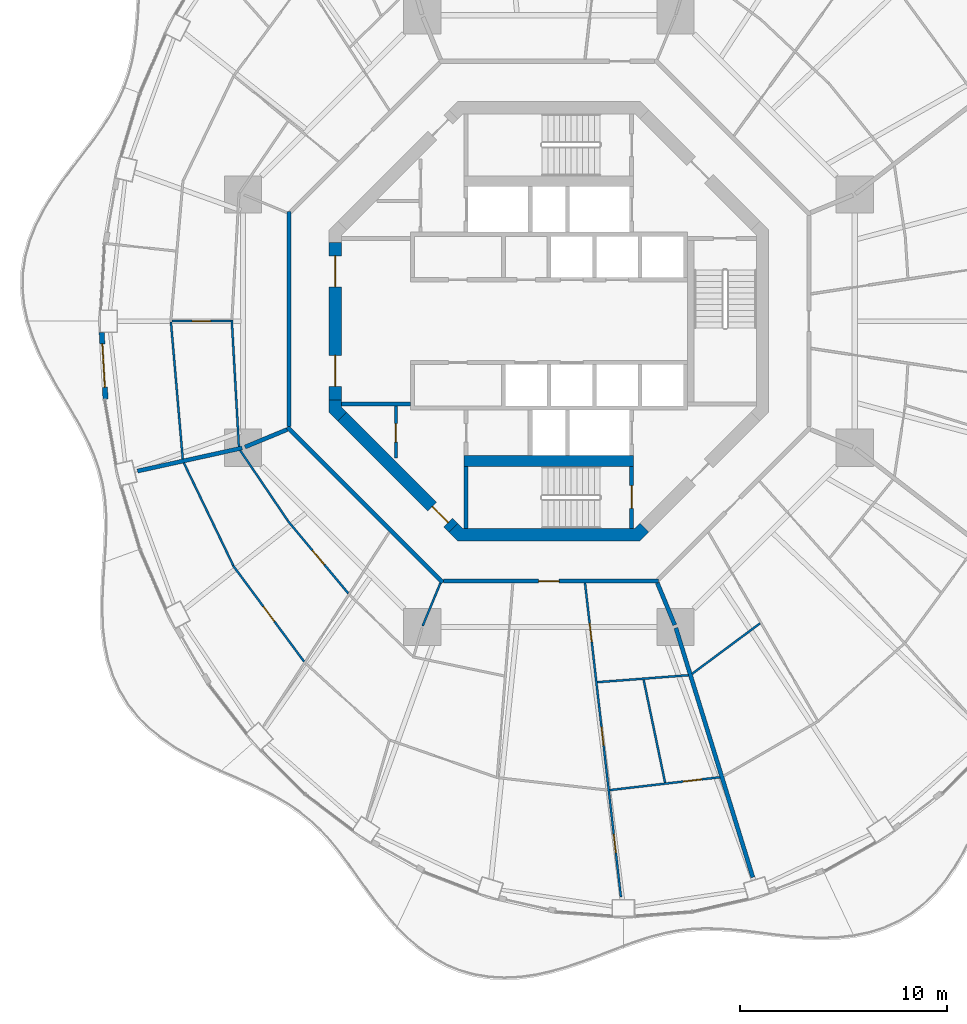
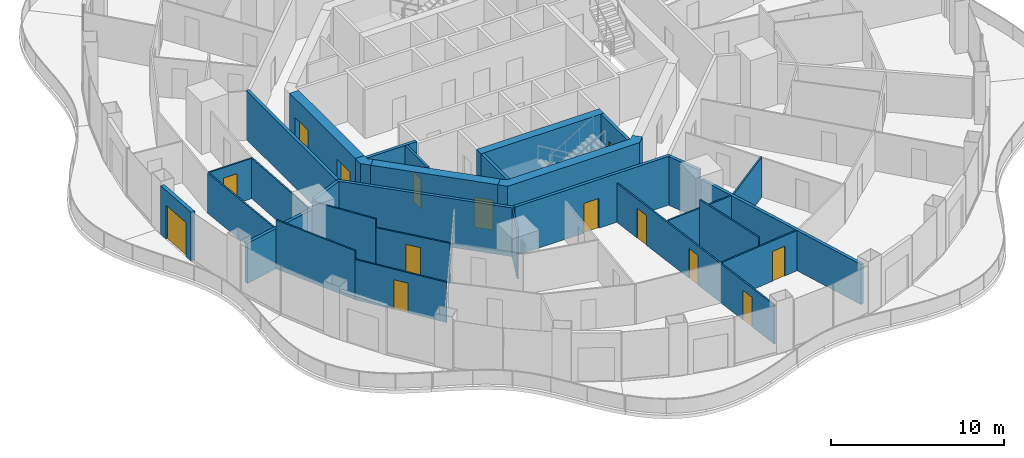
# One storey, part 11 of 19: 30 walls, 14 doors, 14 openings.
"""IFC4 building model written with IfcOpenShell, lengths in metres."""

from ifc_helpers import new_model, si_unit, direction, frame, frame_2d, origin, place, context, subcontext, project, spatial, polyline, rectangle, outline, extrude, material, layer, layer_set, type_object, element, fill, save


model = new_model("IFC4")

# Units and contexts
model_context = context("Model", 3, precision=1e-05, world=origin(), true_north=direction((0.0, 1.0)))
body_context = subcontext(model_context, "Body", "Model", "MODEL_VIEW")
ifc_project = project(units=[si_unit("LENGTHUNIT", "METRE"), si_unit("AREAUNIT", "SQUARE_METRE"), si_unit("VOLUMEUNIT", "CUBIC_METRE"), si_unit("PLANEANGLEUNIT", "RADIAN"), si_unit("MASSUNIT", "GRAM", prefix="KILO")], contexts=[model_context])

# Site, building, storey
site_placement = place(None, origin())
site = spatial("IfcSite", under=ifc_project, at=site_placement, CompositionType="ELEMENT")
building_placement = place(site_placement, origin())
building = spatial("IfcBuilding", under=site, at=building_placement, Name="Nagisa Residences", CompositionType="ELEMENT")
storey_placement = place(building_placement, frame((0.0, 0.0, 191.800048828125)))
storey = spatial("IfcBuildingStorey", under=building, at=storey_placement, Name="L48", CompositionType="ELEMENT", Elevation=191.800048828125)

# Walls
ifc_material_1 = material(Name="Gypsum board on steel studs", Category="steel")
ifc_layer_1 = layer(ifc_material_1, 0.199951171875)
ifc_layer_set_1 = layer_set([ifc_layer_1], Name="Apartment compartment wall EI60 200")
wall_type_1 = type_object("IfcWallType", Name="Apartment compartment wall EI60 200", PredefinedType="PARTITIONING", material=ifc_layer_set_1)
wall_1_placement = place(storey_placement, frame((-12.6572265625, -5.24267578125, 0.0), z_axis=(0.0, 0.0, 1.0), x_axis=(-0.923859888513, -0.38273085373, 0.0)))
element("IfcWall", 1, at=wall_1_placement, inside=storey, type_object=wall_type_1, Name="wall:L48:u04", PredefinedType="PARTITIONING", context=body_context, shape_type="SweptSolid", body=[
    extrude(rectangle(XDim=2.199462890625, YDim=0.199951171875, at=frame_2d((1.099609375, 0.0))), origin(), (0.0, 0.0, 1.0), 3.43994140625),
])
wall_2_placement = place(storey_placement, frame((-14.830810546875, -6.133544921875, 0.0), z_axis=(0.0, 0.0, 1.0), x_axis=(-0.976568396888, -0.215207263354, 0.0)))
element("IfcWall", 2, at=wall_2_placement, inside=storey, type_object=wall_type_1, Name="wall:L48:u05", PredefinedType="PARTITIONING", context=body_context, shape_type="SweptSolid", body=[
    extrude(rectangle(XDim=5.176513671875, YDim=0.199951171875, at=frame_2d((2.58837890625, 0.0))), origin(), (0.0, 0.0, 1.0), 2.8369140625),
])
wall_3_placement = place(storey_placement, frame((5.24267578125, -12.6572265625, 0.0), z_axis=(0.0, 0.0, 1.0), x_axis=(0.382747093259, -0.923853160736, 0.0)))
element("IfcWall", 3, at=wall_3_placement, inside=storey, type_object=wall_type_1, Name="wall:L48:u06", PredefinedType="PARTITIONING", context=body_context, shape_type="SweptSolid", body=[
    extrude(rectangle(XDim=2.199951171875, YDim=0.199951171875, at=frame_2d((1.10009765625, 0.0))), origin(), (0.0, 0.0, 1.0), 3.43994140625),
])
wall_4_placement = place(storey_placement, frame((6.1376953125, -14.829833984375, 0.0), z_axis=(0.0, 0.0, 1.0), x_axis=(0.294818517221, -0.955553264818, 0.0)))
element("IfcWall", 4, at=wall_4_placement, inside=storey, type_object=wall_type_1, Name="wall:L48:u07", PredefinedType="PARTITIONING", context=body_context, shape_type="SweptSolid", body=[
    extrude(rectangle(XDim=12.619384765625, YDim=0.199951171875, at=frame_2d((6.3095703125, 0.0))), origin(), (0.0, 0.0, 1.0), 2.8369140625),
])
ifc_material_2 = material(Name="Gypsum board on steel studs", Category="steel")
ifc_layer_2 = layer(ifc_material_2, 0.199951171875)
ifc_layer_set_2 = layer_set([ifc_layer_2], Name="Apartment entry wall EI60 200")
wall_type_2 = type_object("IfcWallType", Name="Apartment entry wall EI60 200", PredefinedType="PARTITIONING", material=ifc_layer_set_2)
wall_5_placement = place(storey_placement, frame((-12.564697265625, 5.304443359375, 0.0), z_axis=(0.0, 0.0, 1.0), x_axis=(0.0, -1.0, 0.0)))
element("IfcWall", 5, at=wall_5_placement, inside=storey, type_object=wall_type_2, Name="wall:L48:u14", PredefinedType="PARTITIONING", context=body_context, shape_type="SweptSolid", body=[
    extrude(rectangle(XDim=10.408935546875, YDim=0.199951171875, at=frame_2d((5.20458984375, 0.0))), origin(), (0.0, 0.0, 1.0), 3.43994140625),
])
wall_6_placement = place(storey_placement, frame((-12.635498046875, -5.1337890625, 0.0), z_axis=(0.0, 0.0, 1.0), x_axis=(0.707106781187, -0.707106781187, 0.0)))
element("IfcWall", 6, at=wall_6_placement, inside=storey, type_object=wall_type_2, Name="wall:L48:u15", PredefinedType="PARTITIONING", context=body_context, shape_type="SweptSolid", body=[
    extrude(rectangle(XDim=10.609130859375, YDim=0.199951171875, at=frame_2d((5.3046875, 0.0))), origin(), (0.0, 0.0, 1.0), 3.43994140625),
])

# Wall, opening, door
wall_7_placement = place(storey_placement, frame((-5.1044921875, -12.564697265625, 0.0), z_axis=(0.0, 0.0, 1.0), x_axis=(1.0, 0.0, 0.0)))
wall_7 = element("IfcWall", 7, at=wall_7_placement, inside=storey, type_object=wall_type_2, Name="wall:L48:u16", PredefinedType="PARTITIONING", context=body_context, shape_type="SweptSolid", body=[
    extrude(rectangle(XDim=10.408935546875, YDim=0.199951171875, at=frame_2d((5.20458984375, 0.0))), origin(), (0.0, 0.0, 1.0), 3.43994140625),
])
opening_1_placement = place(wall_7_placement, frame((4.6044921875, 0.0, 0.0)))
opening_1 = element("IfcOpeningElement", 8, at=opening_1_placement, cuts=wall_7, Name="Opening L48-U01", PredefinedType="OPENING", context=body_context, shape_type="SweptSolid", body=[
    extrude(rectangle(XDim=1.0, YDim=2.10009765625, at=frame_2d((0.5, 1.050048828125))), frame((0.0, 0.10986328125, 0.0), z_axis=(0.0, -1.0, 0.0), x_axis=(1.0, 0.0, 0.0)), (0.0, 0.0, 1.0), 0.219970703125),
])
ifc_material_3 = material(Name="Timber fire door set", Category="wood")
door_type_1 = type_object("IfcDoorType", Name="Apartment entry door FD30S 1000x2100", OperationType="NOTDEFINED", PredefinedType="DOOR", material=ifc_material_3)
door_1_placement = place(opening_1_placement, frame((1.0, 0.0, 0.0), x_axis=(-1.0, 0.0, 0.0)))
door_1 = element("IfcDoor", 9, at=door_1_placement, inside=storey, type_object=door_type_1, Name="Entry door, Apartment 48A", OperationType="SINGLE_SWING_RIGHT", OverallHeight=2.10009765625, OverallWidth=1.0, PredefinedType="DOOR", context=body_context, shape_type="SweptSolid", body=[
    extrude(rectangle(XDim=1.0, YDim=2.10009765625, at=frame_2d((0.5, 1.050048828125))), frame((0.0, 0.02490234375, 0.0), z_axis=(0.0, -1.0, 0.0), x_axis=(1.0, 0.0, 0.0)), (0.0, 0.0, 1.0), 0.050048828125),
])
fill(opening_1, door_1)

ifc_material_4 = material(Name="Gypsum board on steel studs", Category="steel")
ifc_layer_3 = layer(ifc_material_4, 0.10009765625)
ifc_layer_set_3 = layer_set([ifc_layer_3], Name="Apartment partition 100")
wall_type_3 = type_object("IfcWallType", Name="Apartment partition 100", PredefinedType="PARTITIONING", material=ifc_layer_set_3)
wall_8_placement = place(storey_placement, frame((-15.3779296875, 0.0, 0.0), z_axis=(0.0, 0.0, 1.0), x_axis=(-1.0, 0.0, 0.0)))
wall_8 = element("IfcWall", 10, at=wall_8_placement, inside=storey, type_object=wall_type_3, Name="wall:L48:u55", PredefinedType="PARTITIONING", context=body_context, shape_type="SweptSolid", body=[
    extrude(rectangle(XDim=2.84716796875, YDim=0.10009765625, at=frame_2d((1.423583984375, 0.0))), origin(), (0.0, 0.0, 1.0), 2.8369140625),
])
opening_2_placement = place(wall_8_placement, frame((0.9736328125, 0.0, 0.0)))
opening_2 = element("IfcOpeningElement", 11, at=opening_2_placement, cuts=wall_8, Name="Opening L48-U48", PredefinedType="OPENING", context=body_context, shape_type="SweptSolid", body=[
    extrude(rectangle(XDim=0.89990234375, YDim=2.10009765625, at=frame_2d((0.449951171875, 1.050048828125))), frame((0.0, 0.06005859375, 0.0), z_axis=(0.0, -1.0, 0.0), x_axis=(1.0, 0.0, 0.0)), (0.0, 0.0, 1.0), 0.1201171875),
])
ifc_material_5 = material(Name="Timber door set", Category="wood")
door_type_2 = type_object("IfcDoorType", Name="Apartment door 900x2100", OperationType="NOTDEFINED", PredefinedType="DOOR", material=ifc_material_5)
door_2_placement = place(opening_2_placement, origin())
door_2 = element("IfcDoor", 12, at=door_2_placement, inside=storey, type_object=door_type_2, Name="Door to study, Apartment 48E", OperationType="SINGLE_SWING_RIGHT", OverallHeight=2.10009765625, OverallWidth=0.89990234375, PredefinedType="DOOR", context=body_context, shape_type="SweptSolid", body=[
    extrude(rectangle(XDim=0.89990234375, YDim=2.10009765625, at=frame_2d((0.449951171875, 1.050048828125))), frame((0.0, 0.02490234375, 0.0), z_axis=(0.0, -1.0, 0.0), x_axis=(1.0, 0.0, 0.0)), (0.0, 0.0, 1.0), 0.050048828125),
])
fill(opening_2, door_2)

# Walls
wall_9_placement = place(storey_placement, frame((-15.33056640625, 0.0498046875, 0.0), z_axis=(0.0, 0.0, 1.0), x_axis=(0.056310939406, -0.998413280212, 0.0)))
element("IfcWall", 13, at=wall_9_placement, inside=storey, type_object=wall_type_3, Name="wall:L48:u56", PredefinedType="PARTITIONING", context=body_context, shape_type="SweptSolid", body=[
    extrude(rectangle(XDim=6.126220703125, YDim=0.10009765625, at=frame_2d((3.06298828125, 0.0))), origin(), (0.0, 0.0, 1.0), 2.8369140625),
])
wall_10_placement = place(storey_placement, frame((-18.270751953125, -0.0498046875, 0.0), z_axis=(0.0, 0.0, 1.0), x_axis=(0.086012321907, -0.996294073294, 0.0)))
element("IfcWall", 14, at=wall_10_placement, inside=storey, type_object=wall_type_3, Name="wall:L48:u57", PredefinedType="PARTITIONING", context=body_context, shape_type="SweptSolid", body=[
    extrude(rectangle(XDim=6.63916015625, YDim=0.10009765625, at=frame_2d((3.319580078125, 0.0))), origin(), (0.0, 0.0, 1.0), 2.8369140625),
])
wall_11_placement = place(storey_placement, frame((-14.923828125, -6.249267578125, 0.0), z_axis=(0.0, 0.0, 1.0), x_axis=(0.561046521684, -0.82778427172, 0.0)))
element("IfcWall", 15, at=wall_11_placement, inside=storey, type_object=wall_type_3, Name="wall:L48:u58", PredefinedType="PARTITIONING", context=body_context, shape_type="SweptSolid", body=[
    extrude(rectangle(XDim=4.108642578125, YDim=0.10009765625, at=frame_2d((2.05419921875, 0.0))), origin(), (0.0, 0.0, 1.0), 3.43994140625),
])
wall_12_placement = place(storey_placement, frame((-17.6474609375, -6.85400390625, 0.0), z_axis=(0.0, 0.0, 1.0), x_axis=(0.434027506504, -0.900899619046, 0.0)))
element("IfcWall", 16, at=wall_12_placement, inside=storey, type_object=wall_type_3, Name="wall:L48:u59", PredefinedType="PARTITIONING", context=body_context, shape_type="SweptSolid", body=[
    extrude(rectangle(XDim=5.508056640625, YDim=0.10009765625, at=frame_2d((2.75390625, 0.0))), origin(), (0.0, 0.0, 1.0), 3.43994140625),
])

# Wall, opening, door
wall_13_placement = place(storey_placement, frame((-12.62255859375, -9.6533203125, 0.0), z_axis=(0.0, 0.0, 1.0), x_axis=(0.640315711982, -0.768111833647, 0.0)))
wall_13 = element("IfcWall", 17, at=wall_13_placement, inside=storey, type_object=wall_type_3, Name="wall:L48:u60", PredefinedType="PARTITIONING", context=body_context, shape_type="SweptSolid", body=[
    extrude(rectangle(XDim=4.571533203125, YDim=0.10009765625, at=frame_2d((2.28564453125, 0.0))), origin(), (0.0, 0.0, 1.0), 2.8369140625),
])
opening_3_placement = place(wall_13_placement, frame((1.86083984375, 0.0, 0.0)))
opening_3 = element("IfcOpeningElement", 18, at=opening_3_placement, cuts=wall_13, Name="Opening L48-U13", PredefinedType="OPENING", context=body_context, shape_type="SweptSolid", body=[
    extrude(rectangle(XDim=0.89990234375, YDim=2.10009765625, at=frame_2d((0.449951171875, 1.050048828125))), frame((0.0, 0.06005859375, 0.0), z_axis=(0.0, -1.0, 0.0), x_axis=(1.0, 0.0, 0.0)), (0.0, 0.0, 1.0), 0.1201171875),
])
door_3_placement = place(opening_3_placement, origin())
door_3 = element("IfcDoor", 19, at=door_3_placement, inside=storey, type_object=door_type_2, Name="Door to store, Apartment 48A", OperationType="SINGLE_SWING_LEFT", OverallHeight=2.10009765625, OverallWidth=0.89990234375, PredefinedType="DOOR", context=body_context, shape_type="SweptSolid", body=[
    extrude(rectangle(XDim=0.89990234375, YDim=2.10009765625, at=frame_2d((0.449951171875, 1.050048828125))), frame((0.0, 0.02490234375, 0.0), z_axis=(0.0, -1.0, 0.0), x_axis=(1.0, 0.0, 0.0)), (0.0, 0.0, 1.0), 0.050048828125),
])
fill(opening_3, door_3)

wall_14_placement = place(storey_placement, frame((-15.264892578125, -11.821044921875, 0.0), z_axis=(0.0, 0.0, 1.0), x_axis=(0.594721645029, -0.803931691709, 0.0)))
wall_14 = element("IfcWall", 20, at=wall_14_placement, inside=storey, type_object=wall_type_3, Name="wall:L48:u61", PredefinedType="PARTITIONING", context=body_context, shape_type="SweptSolid", body=[
    extrude(rectangle(XDim=5.771728515625, YDim=0.10009765625, at=frame_2d((2.8857421875, 0.0))), origin(), (0.0, 0.0, 1.0), 2.8369140625),
])
opening_4_placement = place(wall_14_placement, frame((2.460693359375, 0.0, 0.0)))
opening_4 = element("IfcOpeningElement", 21, at=opening_4_placement, cuts=wall_14, Name="Opening L48-U12", PredefinedType="OPENING", context=body_context, shape_type="SweptSolid", body=[
    extrude(rectangle(XDim=0.89990234375, YDim=2.10009765625, at=frame_2d((0.449951171875, 1.050048828125))), frame((0.0, 0.06005859375, 0.0), z_axis=(0.0, -1.0, 0.0), x_axis=(1.0, 0.0, 0.0)), (0.0, 0.0, 1.0), 0.1201171875),
])
door_4_placement = place(opening_4_placement, frame((0.89990234375, 0.0, 0.0), x_axis=(-1.0, 0.0, 0.0)))
door_4 = element("IfcDoor", 22, at=door_4_placement, inside=storey, type_object=door_type_2, Name="Door to living room, Apartment 48A", OperationType="SINGLE_SWING_LEFT", OverallHeight=2.10009765625, OverallWidth=0.89990234375, PredefinedType="DOOR", context=body_context, shape_type="SweptSolid", body=[
    extrude(rectangle(XDim=0.89990234375, YDim=2.10009765625, at=frame_2d((0.449951171875, 1.050048828125))), frame((0.0, 0.02490234375, 0.0), z_axis=(0.0, -1.0, 0.0), x_axis=(1.0, 0.0, 0.0)), (0.0, 0.0, 1.0), 0.050048828125),
])
fill(opening_4, door_4)

# Wall
wall_15_placement = place(storey_placement, frame((-5.24267578125, -12.6572265625, 0.0), z_axis=(0.0, 0.0, 1.0), x_axis=(-0.382719158442, -0.923864733477, 0.0)))
element("IfcWall", 23, at=wall_15_placement, inside=storey, type_object=wall_type_3, Name="wall:L48:u65", PredefinedType="PARTITIONING", context=body_context, shape_type="SweptSolid", body=[
    extrude(rectangle(XDim=2.25, YDim=0.10009765625, at=frame_2d((1.125, 0.0))), origin(), (0.0, 0.0, 1.0), 3.43994140625),
])

# Wall, openings, doors
wall_16_placement = place(storey_placement, frame((1.74609375, -12.6640625, 0.0), z_axis=(0.0, 0.0, 1.0), x_axis=(0.113624134758, -0.993523807465, 0.0)))
wall_16 = element("IfcWall", 24, at=wall_16_placement, inside=storey, type_object=wall_type_3, Name="wall:L48:u72", PredefinedType="PARTITIONING", context=body_context, shape_type="SweptSolid", body=[
    extrude(rectangle(XDim=15.272705078125, YDim=0.10009765625, at=frame_2d((7.63623046875, 0.0))), origin(), (0.0, 0.0, 1.0), 2.755859375),
])
opening_5_placement = place(wall_16_placement, frame((1.96240234375, 0.0, 0.0)))
opening_5 = element("IfcOpeningElement", 25, at=opening_5_placement, cuts=wall_16, Name="Opening L48-U03", PredefinedType="OPENING", context=body_context, shape_type="SweptSolid", body=[
    extrude(rectangle(XDim=0.89990234375, YDim=2.10009765625, at=frame_2d((0.449951171875, 1.050048828125))), frame((0.0, 0.06005859375, 0.0), z_axis=(0.0, -1.0, 0.0), x_axis=(1.0, 0.0, 0.0)), (0.0, 0.0, 1.0), 0.1201171875),
])
opening_6_placement = place(wall_16_placement, frame((7.001708984375, 0.0, 0.0)))
opening_6 = element("IfcOpeningElement", 26, at=opening_6_placement, cuts=wall_16, Name="Opening L48-U05", PredefinedType="OPENING", context=body_context, shape_type="SweptSolid", body=[
    extrude(rectangle(XDim=0.89990234375, YDim=2.10009765625, at=frame_2d((0.449951171875, 1.050048828125))), frame((0.0, 0.06005859375, 0.0), z_axis=(0.0, -1.0, 0.0), x_axis=(1.0, 0.0, 0.0)), (0.0, 0.0, 1.0), 0.1201171875),
])
opening_7_placement = place(wall_16_placement, frame((12.2255859375, 0.0, 0.0)))
opening_7 = element("IfcOpeningElement", 27, at=opening_7_placement, cuts=wall_16, Name="Opening L48-U08", PredefinedType="OPENING", context=body_context, shape_type="SweptSolid", body=[
    extrude(rectangle(XDim=0.89990234375, YDim=2.10009765625, at=frame_2d((0.449951171875, 1.050048828125))), frame((0.0, 0.06005859375, 0.0), z_axis=(0.0, -1.0, 0.0), x_axis=(1.0, 0.0, 0.0)), (0.0, 0.0, 1.0), 0.1201171875),
])
door_5_placement = place(opening_5_placement, origin())
door_5 = element("IfcDoor", 28, at=door_5_placement, inside=storey, type_object=door_type_2, Name="Door to laundry, Apartment 48A", OperationType="SINGLE_SWING_LEFT", OverallHeight=2.10009765625, OverallWidth=0.89990234375, PredefinedType="DOOR", context=body_context, shape_type="SweptSolid", body=[
    extrude(rectangle(XDim=0.89990234375, YDim=2.10009765625, at=frame_2d((0.449951171875, 1.050048828125))), frame((0.0, 0.02490234375, 0.0), z_axis=(0.0, -1.0, 0.0), x_axis=(1.0, 0.0, 0.0)), (0.0, 0.0, 1.0), 0.050048828125),
])
fill(opening_5, door_5)
door_6_placement = place(opening_6_placement, origin())
door_6 = element("IfcDoor", 29, at=door_6_placement, inside=storey, type_object=door_type_2, Name="Door to family bathroom, Apartment 48A", OperationType="SINGLE_SWING_LEFT", OverallHeight=2.10009765625, OverallWidth=0.89990234375, PredefinedType="DOOR", context=body_context, shape_type="SweptSolid", body=[
    extrude(rectangle(XDim=0.89990234375, YDim=2.10009765625, at=frame_2d((0.449951171875, 1.050048828125))), frame((0.0, 0.02490234375, 0.0), z_axis=(0.0, -1.0, 0.0), x_axis=(1.0, 0.0, 0.0)), (0.0, 0.0, 1.0), 0.050048828125),
])
fill(opening_6, door_6)
door_7_placement = place(opening_7_placement, origin())
door_7 = element("IfcDoor", 30, at=door_7_placement, inside=storey, type_object=door_type_2, Name="Door to bedroom, Apartment 48A", OperationType="SINGLE_SWING_RIGHT", OverallHeight=2.10009765625, OverallWidth=0.89990234375, PredefinedType="DOOR", context=body_context, shape_type="SweptSolid", body=[
    extrude(rectangle(XDim=0.89990234375, YDim=2.10009765625, at=frame_2d((0.449951171875, 1.050048828125))), frame((0.0, 0.02490234375, 0.0), z_axis=(0.0, -1.0, 0.0), x_axis=(1.0, 0.0, 0.0)), (0.0, 0.0, 1.0), 0.050048828125),
])
fill(opening_7, door_7)

# Wall
wall_17_placement = place(storey_placement, frame((2.34423828125, -17.4541015625, 0.0), z_axis=(0.0, 0.0, 1.0), x_axis=(0.997077237751, 0.076400143703, 0.0)))
element("IfcWall", 31, at=wall_17_placement, inside=storey, type_object=wall_type_3, Name="wall:L48:u73", PredefinedType="PARTITIONING", context=body_context, shape_type="SweptSolid", body=[
    extrude(rectangle(XDim=4.409912109375, YDim=0.10009765625, at=frame_2d((2.205078125, 0.0))), origin(), (0.0, 0.0, 1.0), 2.8369140625),
])

# Wall, opening, door
wall_18_placement = place(storey_placement, frame((2.94091796875, -22.67138671875, 0.0), z_axis=(0.0, 0.0, 1.0), x_axis=(0.993247307754, 0.116016316261, 0.0)))
wall_18 = element("IfcWall", 32, at=wall_18_placement, inside=storey, type_object=wall_type_3, Name="wall:L48:u74", PredefinedType="PARTITIONING", context=body_context, shape_type="SweptSolid", body=[
    extrude(rectangle(XDim=5.357666015625, YDim=0.10009765625, at=frame_2d((2.6787109375, 0.0))), origin(), (0.0, 0.0, 1.0), 2.8369140625),
])
opening_8_placement = place(wall_18_placement, frame((3.580810546875, 0.0, 0.0)))
opening_8 = element("IfcOpeningElement", 33, at=opening_8_placement, cuts=wall_18, Name="Opening L48-U11", PredefinedType="OPENING", context=body_context, shape_type="SweptSolid", body=[
    extrude(rectangle(XDim=0.89990234375, YDim=2.10009765625, at=frame_2d((0.449951171875, 1.050048828125))), frame((0.0, 0.06005859375, 0.0), z_axis=(0.0, -1.0, 0.0), x_axis=(1.0, 0.0, 0.0)), (0.0, 0.0, 1.0), 0.1201171875),
])
door_8_placement = place(opening_8_placement, origin())
door_8 = element("IfcDoor", 34, at=door_8_placement, inside=storey, type_object=door_type_2, Name="Door to en-suite bathroom, Apartment 48A", OperationType="SINGLE_SWING_LEFT", OverallHeight=2.10009765625, OverallWidth=0.89990234375, PredefinedType="DOOR", context=body_context, shape_type="SweptSolid", body=[
    extrude(rectangle(XDim=0.89990234375, YDim=2.10009765625, at=frame_2d((0.449951171875, 1.050048828125))), frame((0.0, 0.02490234375, 0.0), z_axis=(0.0, -1.0, 0.0), x_axis=(1.0, 0.0, 0.0)), (0.0, 0.0, 1.0), 0.050048828125),
])
fill(opening_8, door_8)

# Walls
wall_19_placement = place(storey_placement, frame((4.577880859375, -17.33251953125, 0.0), z_axis=(0.0, 0.0, 1.0), x_axis=(0.204264950279, -0.978915639924, 0.0)))
element("IfcWall", 35, at=wall_19_placement, inside=storey, type_object=wall_type_3, Name="wall:L48:u75", PredefinedType="PARTITIONING", context=body_context, shape_type="SweptSolid", body=[
    extrude(rectangle(XDim=5.083251953125, YDim=0.10009765625, at=frame_2d((2.54150390625, 0.0))), origin(), (0.0, 0.0, 1.0), 3.43994140625),
])
wall_20_placement = place(storey_placement, frame((6.92138671875, -17.0498046875, 0.0), z_axis=(0.0, 0.0, 1.0), x_axis=(0.802769141821, 0.596289950394, 0.0)))
element("IfcWall", 36, at=wall_20_placement, inside=storey, type_object=wall_type_3, Name="wall:L48:u76", PredefinedType="PARTITIONING", context=body_context, shape_type="SweptSolid", body=[
    extrude(rectangle(XDim=4.09228515625, YDim=0.10009765625, at=frame_2d((2.046142578125, 0.0))), origin(), (0.0, 0.0, 1.0), 2.8369140625),
])

# Wall, opening, door
ifc_material_6 = material(Name="Precast concrete C40/50", Category="concrete")
ifc_layer_4 = layer(ifc_material_6, 0.25)
ifc_layer_set_4 = layer_set([ifc_layer_4], Name="BALCONY DOOR WALL 250")
wall_type_4 = type_object("IfcWallType", Name="BALCONY DOOR WALL 250", PredefinedType="SOLIDWALL", material=ifc_layer_set_4)
wall_21_placement = place(storey_placement, frame((-21.43310546875, -3.76171875, 0.0), z_axis=(0.0, 0.0, 1.0), x_axis=(-0.057532692854, 0.998343622834, 0.0)))
wall_21 = element("IfcWall", 37, at=wall_21_placement, inside=storey, type_object=wall_type_4, Name="wall:L48:bay24", PredefinedType="SOLIDWALL", context=body_context, shape_type="SweptSolid", body=[
    extrude(rectangle(XDim=3.22509765625, YDim=0.25, at=frame_2d((1.612548828125, 0.0))), origin(), (0.0, 0.0, 1.0), 3.43994140625),
])
opening_9_placement = place(wall_21_placement, frame((0.5625, 0.0, 0.0)))
opening_9 = element("IfcOpeningElement", 38, at=opening_9_placement, cuts=wall_21, Name="Opening BD-L48-09", PredefinedType="OPENING", context=body_context, shape_type="SweptSolid", body=[
    extrude(rectangle(XDim=2.10009765625, YDim=2.39990234375, at=frame_2d((1.050048828125, 1.199951171875))), frame((0.0, 0.135009765625, 0.0), z_axis=(0.0, -1.0, 0.0), x_axis=(1.0, 0.0, 0.0)), (0.0, 0.0, 1.0), 0.27001953125),
])
ifc_material_7 = material(Name="Aluminium and clear glass", Category="aluminium")
door_type_3 = type_object("IfcDoorType", Name="BALCONY SLIDING DOOR 2100x2400", OperationType="SLIDING_TO_LEFT", PredefinedType="DOOR", material=ifc_material_7)
door_9_placement = place(opening_9_placement, origin())
door_9 = element("IfcDoor", 39, at=door_9_placement, inside=storey, type_object=door_type_3, Name="door:L48:bay24", OperationType="SLIDING_TO_LEFT", OverallHeight=2.39990234375, OverallWidth=2.10009765625, PredefinedType="DOOR", context=body_context, shape_type="SweptSolid", body=[
    extrude(rectangle(XDim=2.10009765625, YDim=2.39990234375, at=frame_2d((1.050048828125, 1.199951171875))), frame((0.0, 0.02490234375, 0.0), z_axis=(0.0, -1.0, 0.0), x_axis=(1.0, 0.0, 0.0)), (0.0, 0.0, 1.0), 0.050048828125),
])
fill(opening_9, door_9)

ifc_material_8 = material(Name="Gypsum board on steel studs", Category="steel")
ifc_layer_5 = layer(ifc_material_8, 0.14990234375)
ifc_layer_set_5 = layer_set([ifc_layer_5], Name="Core partition 150")
wall_type_5 = type_object("IfcWallType", Name="Core partition 150", PredefinedType="PARTITIONING", material=ifc_layer_set_5)
wall_22_placement = place(storey_placement, frame((-7.39990234375, -6.626953125, 0.0), z_axis=(0.0, 0.0, 1.0), x_axis=(0.0, 1.0, 0.0)))
wall_22 = element("IfcWall", 40, at=wall_22_placement, inside=storey, type_object=wall_type_5, Name="wall:L48:SWp", PredefinedType="PARTITIONING", context=body_context, shape_type="SweptSolid", body=[
    extrude(rectangle(XDim=2.52685546875, YDim=0.14990234375, at=frame_2d((1.263427734375, 0.0))), origin(), (0.0, 0.0, 1.0), 3.43994140625),
])
opening_10_placement = place(wall_22_placement, frame((0.77587890625, 0.0, 0.0)))
opening_10 = element("IfcOpeningElement", 41, at=opening_10_placement, cuts=wall_22, Name="Opening L48-C13", PredefinedType="OPENING", context=body_context, shape_type="SweptSolid", body=[
    extrude(rectangle(XDim=0.89990234375, YDim=2.10009765625, at=frame_2d((0.449951171875, 1.050048828125))), frame((0.0, 0.0849609375, 0.0), z_axis=(0.0, -1.0, 0.0), x_axis=(1.0, 0.0, 0.0)), (0.0, 0.0, 1.0), 0.169921875),
])
ifc_material_9 = material(Name="Steel fire door", Category="steel")
door_type_4 = type_object("IfcDoorType", Name="Fire door EI30 900x2100 single swing", OperationType="NOTDEFINED", PredefinedType="DOOR", material=ifc_material_9)
door_10_placement = place(opening_10_placement, origin())
door_10 = element("IfcDoor", 42, at=door_10_placement, inside=storey, type_object=door_type_4, Name="Refuse room door L48", OperationType="SINGLE_SWING_RIGHT", OverallHeight=2.10009765625, OverallWidth=0.89990234375, PredefinedType="DOOR", context=body_context, shape_type="SweptSolid", body=[
    extrude(rectangle(XDim=0.89990234375, YDim=2.10009765625, at=frame_2d((0.449951171875, 1.050048828125))), frame((0.0, 0.02490234375, 0.0), z_axis=(0.0, -1.0, 0.0), x_axis=(1.0, 0.0, 0.0)), (0.0, 0.0, 1.0), 0.050048828125),
])
fill(opening_10, door_10)

# Wall
ifc_material_10 = material(Name="Gypsum board on steel studs", Category="steel")
ifc_layer_6 = layer(ifc_material_10, 0.199951171875)
ifc_layer_set_6 = layer_set([ifc_layer_6], Name="Core partition 200")
wall_type_6 = type_object("IfcWallType", Name="Core partition 200", PredefinedType="PARTITIONING", material=ifc_layer_set_6)
wall_23_placement = place(storey_placement, frame((-10.024658203125, -4.0, 0.0), z_axis=(0.0, 0.0, 1.0), x_axis=(1.0, 0.0, 0.0)))
element("IfcWall", 43, at=wall_23_placement, inside=storey, type_object=wall_type_6, Name="wall:L48:PSW", PredefinedType="PARTITIONING", context=body_context, shape_type="SweptSolid", body=[
    extrude(rectangle(XDim=3.32470703125, YDim=0.199951171875, at=frame_2d((1.662353515625, 0.0))), origin(), (0.0, 0.0, 1.0), 3.43994140625),
])

# Wall, openings, doors
ifc_material_11 = material(Name="Concrete C60", Category="concrete")
ifc_layer_7 = layer(ifc_material_11, 0.60009765625)
ifc_layer_set_7 = layer_set([ifc_layer_7], Name="Core shear wall 600")
wall_type_7 = type_object("IfcWallType", Name="Core shear wall 600", PredefinedType="SHEAR", material=ifc_layer_set_7)
wall_24_placement = place(storey_placement, frame((-10.32470703125, 3.80078125, 0.0), z_axis=(0.0, 0.0, 1.0), x_axis=(0.0, -1.0, 0.0)))
wall_24 = element("IfcWall", 44, at=wall_24_placement, inside=storey, type_object=wall_type_7, Name="wall:L48:core:flat4", PredefinedType="SHEAR", context=body_context, shape_type="SweptSolid", body=[
    extrude(rectangle(XDim=7.6015625, YDim=0.60009765625, at=frame_2d((3.80078125, 0.0))), origin(), (0.0, 0.0, 1.0), 3.43994140625),
])
opening_11_placement = place(wall_24_placement, frame((0.65087890625, 0.0, 0.0)))
opening_11 = element("IfcOpeningElement", 45, at=opening_11_placement, cuts=wall_24, Name="Opening L48-C20", PredefinedType="OPENING", context=body_context, shape_type="SweptSolid", body=[
    extrude(rectangle(XDim=1.5, YDim=2.10009765625, at=frame_2d((0.75, 1.050048828125))), frame((0.0, 0.31005859375, 0.0), z_axis=(0.0, -1.0, 0.0), x_axis=(1.0, 0.0, 0.0)), (0.0, 0.0, 1.0), 0.6201171875),
])
opening_12_placement = place(wall_24_placement, frame((5.450927734375, 0.0, 0.0)))
opening_12 = element("IfcOpeningElement", 46, at=opening_12_placement, cuts=wall_24, Name="Opening L48-C21", PredefinedType="OPENING", context=body_context, shape_type="SweptSolid", body=[
    extrude(rectangle(XDim=1.5, YDim=2.10009765625, at=frame_2d((0.75, 1.050048828125))), frame((0.0, 0.31005859375, 0.0), z_axis=(0.0, -1.0, 0.0), x_axis=(1.0, 0.0, 0.0)), (0.0, 0.0, 1.0), 0.6201171875),
])
ifc_material_12 = material(Name="Steel fire door", Category="steel")
door_type_5 = type_object("IfcDoorType", Name="Fire door EI60 1500x2100 double door single swing", OperationType="DOUBLE_DOOR_SINGLE_SWING", PredefinedType="DOOR", material=ifc_material_12)
door_11_placement = place(opening_11_placement, origin())
door_11 = element("IfcDoor", 47, at=door_11_placement, inside=storey, type_object=door_type_5, Name="Lift lobby door L48 1", OperationType="DOUBLE_DOOR_SINGLE_SWING", OverallHeight=2.10009765625, OverallWidth=1.5, PredefinedType="DOOR", context=body_context, shape_type="SweptSolid", body=[
    extrude(rectangle(XDim=1.5, YDim=2.10009765625, at=frame_2d((0.75, 1.050048828125))), frame((0.0, 0.02490234375, 0.0), z_axis=(0.0, -1.0, 0.0), x_axis=(1.0, 0.0, 0.0)), (0.0, 0.0, 1.0), 0.050048828125),
])
fill(opening_11, door_11)
door_12_placement = place(opening_12_placement, origin())
door_12 = element("IfcDoor", 48, at=door_12_placement, inside=storey, type_object=door_type_5, Name="Lift lobby door L48 2", OperationType="DOUBLE_DOOR_SINGLE_SWING", OverallHeight=2.10009765625, OverallWidth=1.5, PredefinedType="DOOR", context=body_context, shape_type="SweptSolid", body=[
    extrude(rectangle(XDim=1.5, YDim=2.10009765625, at=frame_2d((0.75, 1.050048828125))), frame((0.0, 0.02490234375, 0.0), z_axis=(0.0, -1.0, 0.0), x_axis=(1.0, 0.0, 0.0)), (0.0, 0.0, 1.0), 0.050048828125),
])
fill(opening_12, door_12)

# Wall, opening, door
wall_25_placement = place(storey_placement, frame((-9.98828125, -4.613037109375, 0.0), z_axis=(0.0, 0.0, 1.0), x_axis=(0.707106781187, -0.707106781187, 0.0)))
wall_25 = element("IfcWall", 49, at=wall_25_placement, inside=storey, type_object=wall_type_7, Name="wall:L48:core:flat5", PredefinedType="SHEAR", context=body_context, shape_type="SweptSolid", body=[
    extrude(rectangle(XDim=7.601806640625, YDim=0.60009765625, at=frame_2d((3.80078125, 0.0))), origin(), (0.0, 0.0, 1.0), 3.43994140625),
])
opening_13_placement = place(wall_25_placement, frame((6.15087890625, 0.0, 0.0)))
opening_13 = element("IfcOpeningElement", 50, at=opening_13_placement, cuts=wall_25, Name="Opening L48-C23", PredefinedType="OPENING", context=body_context, shape_type="SweptSolid", body=[
    extrude(rectangle(XDim=1.10009765625, YDim=2.10009765625, at=frame_2d((0.550048828125, 1.050048828125))), frame((0.0, 0.31005859375, 0.0), z_axis=(0.0, -1.0, 0.0), x_axis=(1.0, 0.0, 0.0)), (0.0, 0.0, 1.0), 0.6201171875),
])
ifc_material_13 = material(Name="Steel fire door", Category="steel")
door_type_6 = type_object("IfcDoorType", Name="Fire door EI60 1100x2100 single swing", OperationType="NOTDEFINED", PredefinedType="DOOR", material=ifc_material_13)
door_13_placement = place(opening_13_placement, origin())
door_13 = element("IfcDoor", 51, at=door_13_placement, inside=storey, type_object=door_type_6, Name="Housekeeping lobby door L48", OperationType="SINGLE_SWING_RIGHT", OverallHeight=2.10009765625, OverallWidth=1.10009765625, PredefinedType="DOOR", context=body_context, shape_type="SweptSolid", body=[
    extrude(rectangle(XDim=1.10009765625, YDim=2.10009765625, at=frame_2d((0.550048828125, 1.050048828125))), frame((0.0, 0.02490234375, 0.0), z_axis=(0.0, -1.0, 0.0), x_axis=(1.0, 0.0, 0.0)), (0.0, 0.0, 1.0), 0.050048828125),
])
fill(opening_13, door_13)

# Walls
wall_26_placement = place(storey_placement, origin())
element("IfcWall", 52, at=wall_26_placement, inside=storey, type_object=wall_type_7, Name="wall:L48:core:pier4", PredefinedType="SHEAR", context=body_context, shape_type="SweptSolid", body=[
    extrude(outline(polyline([(-10.62451171875, -3.80078125), (-10.024658203125, -3.80078125), (-10.024658203125, -4.15234375), (-9.776123046875, -4.40087890625), (-10.200439453125, -4.8251953125), (-10.62451171875, -4.40087890625), (-10.62451171875, -3.80078125)])), origin(), (0.0, 0.0, 1.0), 3.43994140625),
])
wall_27_placement = place(storey_placement, origin())
element("IfcWall", 53, at=wall_27_placement, inside=storey, type_object=wall_type_7, Name="wall:L48:core:flat6", PredefinedType="SHEAR", context=body_context, shape_type="SweptSolid", body=[
    extrude(outline(polyline([(-4.15234375, -10.024658203125), (4.15234375, -10.024658203125), (4.40087890625, -9.776123046875), (4.8251953125, -10.200439453125), (4.40087890625, -10.62451171875), (-4.40087890625, -10.62451171875), (-4.8251953125, -10.200439453125), (-4.40087890625, -9.776123046875), (-4.15234375, -10.024658203125)])), origin(), (0.0, 0.0, 1.0), 3.43994140625),
])

# Wall, opening, door
ifc_material_14 = material(Name="Concrete C60", Category="concrete")
ifc_layer_8 = layer(ifc_material_14, 0.199951171875)
ifc_layer_set_8 = layer_set([ifc_layer_8], Name="Stair enclosure wall 200")
wall_type_8 = type_object("IfcWallType", Name="Stair enclosure wall 200", PredefinedType="SOLIDWALL", material=ifc_layer_set_8)
wall_28_placement = place(storey_placement, frame((4.0, -10.024658203125, 0.0), z_axis=(0.0, 0.0, 1.0), x_axis=(0.0, 1.0, 0.0)))
wall_28 = element("IfcWall", 54, at=wall_28_placement, inside=storey, type_object=wall_type_8, Name="wall:L48:SS_e", PredefinedType="SOLIDWALL", context=body_context, shape_type="SweptSolid", body=[
    extrude(rectangle(XDim=3.0, YDim=0.199951171875, at=frame_2d((1.5, 0.0))), origin(), (0.0, 0.0, 1.0), 3.43994140625),
])
opening_14_placement = place(wall_28_placement, frame((0.974609375, 0.0, 0.0)))
opening_14 = element("IfcOpeningElement", 55, at=opening_14_placement, cuts=wall_28, Name="Opening L48-C10", PredefinedType="OPENING", context=body_context, shape_type="SweptSolid", body=[
    extrude(rectangle(XDim=1.10009765625, YDim=2.10009765625, at=frame_2d((0.550048828125, 1.050048828125))), frame((0.0, 0.10986328125, 0.0), z_axis=(0.0, -1.0, 0.0), x_axis=(1.0, 0.0, 0.0)), (0.0, 0.0, 1.0), 0.219970703125),
])
ifc_material_15 = material(Name="Steel fire door", Category="steel")
door_type_7 = type_object("IfcDoorType", Name="Fire door EI90 1100x2100 single swing", OperationType="NOTDEFINED", PredefinedType="DOOR", material=ifc_material_15)
door_14_placement = place(opening_14_placement, origin())
door_14 = element("IfcDoor", 56, at=door_14_placement, inside=storey, type_object=door_type_7, Name="Stair door ST-S L48", OperationType="SINGLE_SWING_RIGHT", OverallHeight=2.10009765625, OverallWidth=1.10009765625, PredefinedType="DOOR", context=body_context, shape_type="SweptSolid", body=[
    extrude(rectangle(XDim=1.10009765625, YDim=2.10009765625, at=frame_2d((0.550048828125, 1.050048828125))), frame((0.0, 0.02490234375, 0.0), z_axis=(0.0, -1.0, 0.0), x_axis=(1.0, 0.0, 0.0)), (0.0, 0.0, 1.0), 0.050048828125),
])
fill(opening_14, door_14)

# Walls
wall_29_placement = place(storey_placement, origin())
element("IfcWall", 57, at=wall_29_placement, inside=storey, type_object=wall_type_8, Name="wall:L48:SS_w", PredefinedType="SOLIDWALL", context=body_context, shape_type="SweptSolid", body=[
    extrude(outline(polyline([(-3.89990234375, -10.024658203125), (-4.10009765625, -10.024658203125), (-4.10009765625, -7.024658203125), (-3.89990234375, -7.024658203125), (-3.89990234375, -10.024658203125)])), origin(), (0.0, 0.0, 1.0), 3.43994140625),
])
wall_30_placement = place(storey_placement, origin())
element("IfcWall", 58, at=wall_30_placement, inside=storey, type_object=wall_type_8, Name="wall:L48:SS_n", PredefinedType="SOLIDWALL", context=body_context, shape_type="SweptSolid", body=[
    extrude(outline(polyline([(4.10009765625, -7.024658203125), (-4.10009765625, -7.024658203125), (-4.10009765625, -6.5), (4.10009765625, -6.5), (4.10009765625, -7.024658203125)])), origin(), (0.0, 0.0, 1.0), 3.43994140625),
])

save(model, "model.ifc")
